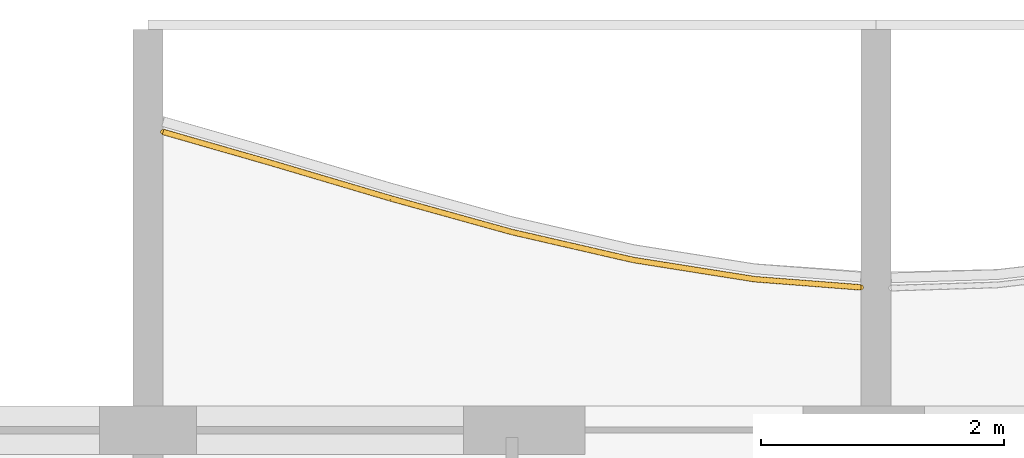
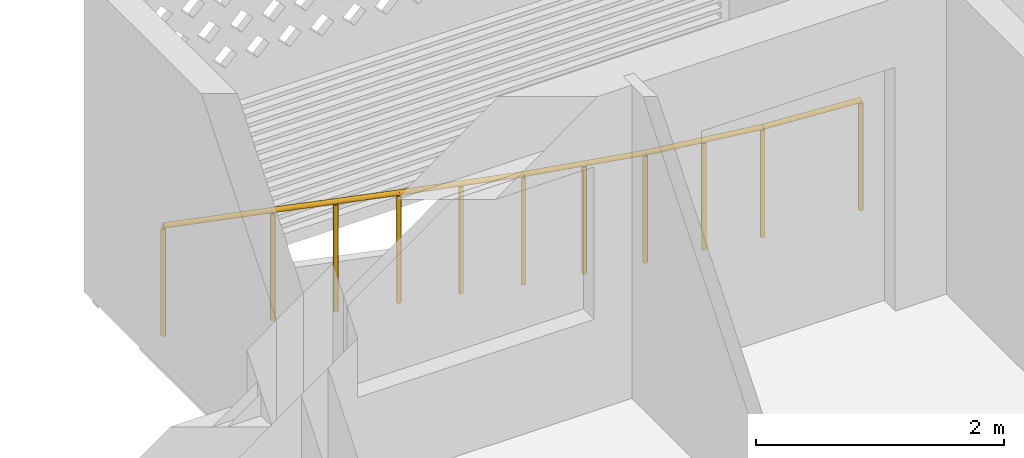
# One storey, part 18 of 29: 1 railing.
"""IFC4 building model written with IfcOpenShell, lengths in metres."""

from ifc_helpers import new_model, si_unit, direction, frame, origin, origin_2d, place, context, subcontext, project, spatial, circle, extrude, material, type_object, element, save


model = new_model("IFC4")

# Units and contexts
model_context = context("Model", 3, precision=1e-05, world=origin(), true_north=direction((0.0, 1.0)))
body_context = subcontext(model_context, "Body", "Model", "MODEL_VIEW")
ifc_project = project(units=[si_unit("LENGTHUNIT", "METRE"), si_unit("AREAUNIT", "SQUARE_METRE"), si_unit("VOLUMEUNIT", "CUBIC_METRE"), si_unit("PLANEANGLEUNIT", "RADIAN"), si_unit("MASSUNIT", "GRAM", prefix="KILO")], contexts=[model_context])

# Site, building, storey
site_placement = place(None, origin())
site = spatial("IfcSite", under=ifc_project, at=site_placement, CompositionType="ELEMENT")
building_placement = place(site_placement, origin())
building = spatial("IfcBuilding", under=site, at=building_placement, Name="Poui Terraces", CompositionType="ELEMENT")
storey_placement = place(building_placement, frame((0.0, 0.0, 231.300048828125)))
storey = spatial("IfcBuildingStorey", under=building, at=storey_placement, Name="L64", CompositionType="ELEMENT", Elevation=231.300048828125)

# Railing
ifc_material = material(Name="Painted steel fretwork", Category="steel")
railing_type = type_object("IfcRailingType", Name="BALCONY GUARD 1100", PredefinedType="GUARDRAIL", material=ifc_material)
railing_placement = place(storey_placement, frame((36.125, 43.65771484375, 0.0)))
element("IfcRailing", 1, at=railing_placement, inside=storey, type_object=railing_type, Name="BALCONY GUARD", PredefinedType="GUARDRAIL", context=body_context, shape_type="SweptSolid", body=[
    extrude(circle(Radius=0.02392578125, at=origin_2d()), frame((0.0, 0.0, 1.076171875), z_axis=(0.961168944086, -0.275960614806, 0.0), x_axis=(0.275960614806, 0.961168944086, 0.0)), (0.0, 0.0, 1.0), 0.910400390625),
    extrude(circle(Radius=0.02392578125, at=origin_2d()), frame((0.875, -0.251220703125, 1.076171875), z_axis=(0.958774495191, -0.284168026651, 0.0), x_axis=(0.284168026651, 0.958774495191, 0.0)), (0.0, 0.0, 1.0), 1.04296875),
    extrude(circle(Radius=0.02392578125, at=origin_2d()), frame((1.875, -0.547607421875, 1.076171875), z_axis=(0.963565078544, -0.267473997633, 0.0), x_axis=(0.267473997633, 0.963565078544, 0.0)), (0.0, 0.0, 1.0), 1.037841796875),
    extrude(circle(Radius=0.02392578125, at=origin_2d()), frame((2.875, -0.8251953125, 1.076171875), z_axis=(0.974559344395, -0.224129614849, 0.0), x_axis=(0.224129614849, 0.974559344395, 0.0)), (0.0, 0.0, 1.0), 1.026123046875),
    extrude(circle(Radius=0.02392578125, at=origin_2d()), frame((3.875, -1.05517578125, 1.076171875), z_axis=(0.9876787513, -0.156494997459, 0.0), x_axis=(0.156494997459, 0.9876787513, 0.0)), (0.0, 0.0, 1.0), 1.012451171875),
    extrude(circle(Radius=0.02392578125, at=origin_2d()), frame((4.875, -1.213623046875, 1.076171875), z_axis=(0.997047936125, -0.076781593295, 0.0), x_axis=(0.076781593295, 0.997047936125, 0.0)), (0.0, 0.0, 1.0), 0.877685546875),
    extrude(circle(Radius=0.02099609375, at=origin_2d()), origin(), (0.0, 0.0, 1.0), 1.052001953125),
    extrude(circle(Radius=0.02099609375, at=origin_2d()), frame((0.875, -0.251220703125, 0.0)), (0.0, 0.0, 1.0), 1.052001953125),
    extrude(circle(Radius=0.02099609375, at=origin_2d()), frame((1.375, -0.3994140625, 0.0)), (0.0, 0.0, 1.0), 1.052001953125),
    extrude(circle(Radius=0.02099609375, at=origin_2d()), frame((1.875, -0.547607421875, 0.0)), (0.0, 0.0, 1.0), 1.052001953125),
    extrude(circle(Radius=0.02099609375, at=origin_2d()), frame((2.375, -0.6865234375, 0.0)), (0.0, 0.0, 1.0), 1.052001953125),
    extrude(circle(Radius=0.02099609375, at=origin_2d()), frame((2.875, -0.8251953125, 0.0)), (0.0, 0.0, 1.0), 1.052001953125),
    extrude(circle(Radius=0.02099609375, at=origin_2d()), frame((3.375, -0.940185546875, 0.0)), (0.0, 0.0, 1.0), 1.052001953125),
    extrude(circle(Radius=0.02099609375, at=origin_2d()), frame((3.875, -1.05517578125, 0.0)), (0.0, 0.0, 1.0), 1.052001953125),
    extrude(circle(Radius=0.02099609375, at=origin_2d()), frame((4.375, -1.13427734375, 0.0)), (0.0, 0.0, 1.0), 1.052001953125),
    extrude(circle(Radius=0.02099609375, at=origin_2d()), frame((4.875, -1.213623046875, 0.0)), (0.0, 0.0, 1.0), 1.052001953125),
    extrude(circle(Radius=0.02099609375, at=origin_2d()), frame((5.75, -1.281005859375, 0.0)), (0.0, 0.0, 1.0), 1.052001953125),
])

save(model, "model.ifc")
